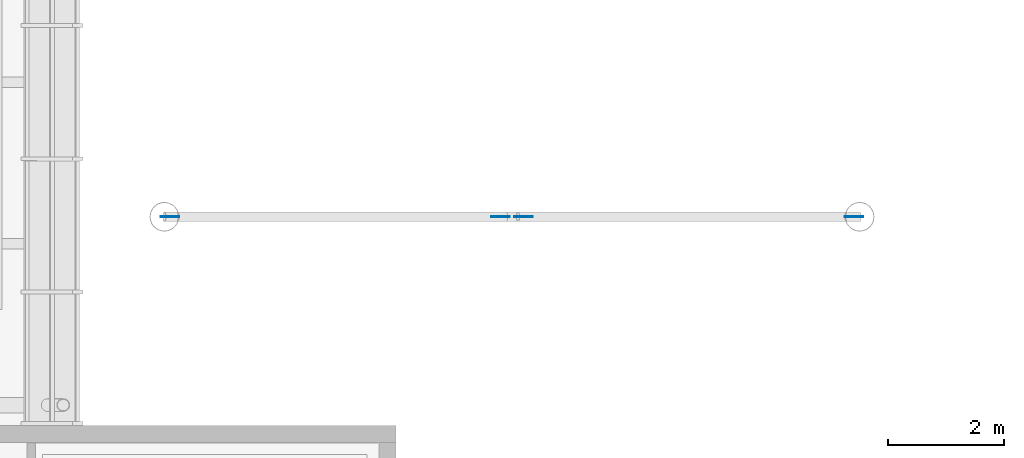
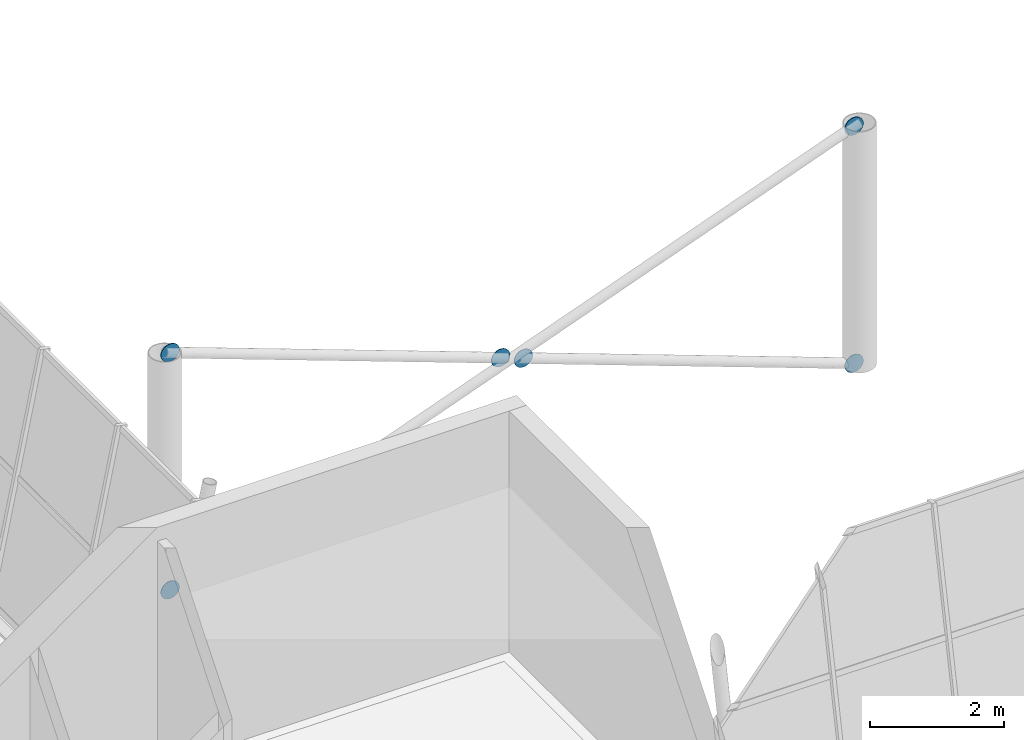
# One storey, part 40 of 58: 6 discrete accessories.
"""IFC4 building model written with IfcOpenShell, lengths in metres."""

from ifc_helpers import new_model, si_unit, direction, frame, origin, origin_2d, place, context, subcontext, project, spatial, circle, extrude, material, layer, layer_set, type_object, element, save


model = new_model("IFC4")

# Units and contexts
model_context = context("Model", 3, precision=1e-05, world=origin(), true_north=direction((0.0, 1.0)))
body_context = subcontext(model_context, "Body", "Model", "MODEL_VIEW")
ifc_project = project(units=[si_unit("LENGTHUNIT", "METRE"), si_unit("AREAUNIT", "SQUARE_METRE"), si_unit("VOLUMEUNIT", "CUBIC_METRE"), si_unit("PLANEANGLEUNIT", "RADIAN"), si_unit("MASSUNIT", "GRAM", prefix="KILO")], contexts=[model_context])

# Site, building, storey
site_placement = place(None, origin())
site = spatial("IfcSite", under=ifc_project, at=site_placement, CompositionType="ELEMENT")
building_placement = place(site_placement, origin())
building = spatial("IfcBuilding", under=site, at=building_placement, Name="Windward Yard Aquatics Centre", CompositionType="ELEMENT")
storey_placement = place(building_placement, frame((0.0, 0.0, 13.800048828125)))
storey = spatial("IfcBuildingStorey", under=building, at=storey_placement, Name="L03", CompositionType="ELEMENT", Elevation=13.800048828125)

# Discrete accessories
ifc_material = material(Name="Steel S355", Category="steel")
ifc_layer = layer(ifc_material, 0.011962890625)
ifc_layer_set = layer_set([ifc_layer], Name="Gusset plate 320 mm disc 12 mm")
discrete_accessory_type = type_object("IfcDiscreteAccessoryType", Name="Gusset plate 320 mm disc 12 mm", PredefinedType="USERDEFINED", material=ifc_layer_set)
for number, where, z_axis, x_axis, name in (
    (1, (60.093994140625, 41.593994140625, 0.034423828125), (0.0, 1.0, 0.0), (-1.0, 0.0, 0.0), "Gusset plate"),
    (2, (71.906005859375, 41.593994140625, 4.365478515625), (0.0, 1.0, 0.0), (-1.0, 0.0, 0.0), "Gusset plate"),
    (3, (60.093994140625, 41.593994140625, 4.365478515625), (0.0, 1.0, 0.0), (-1.0, 0.0, 0.0), "Gusset plate"),
    (4, (65.802734375, 41.593994140625, 2.272216796875), (0.0, 1.0, 0.0), (-1.0, 0.0, 0.0), "Gusset plate"),
    (5, (66.197265625, 41.593994140625, 2.127685546875), (0.0, 1.0, 0.0), (-1.0, 0.0, 0.0), "Gusset plate"),
    (6, (71.906005859375, 41.593994140625, 0.034423828125), (0.0, 1.0, 0.0), (-1.0, 0.0, 0.0), "Gusset plate"),
):
    element("IfcDiscreteAccessory", number, at=place(storey_placement, frame(where, z_axis=z_axis, x_axis=x_axis)), inside=storey, type_object=discrete_accessory_type, Name=name, ObjectType="GUSSET PLATE", PredefinedType="USERDEFINED", context=body_context, shape_type="SweptSolid", body=[
        extrude(circle(Radius=0.159912109375, at=origin_2d()), origin(), (0.0, 0.0, 1.0), 0.011962890625),
    ])

save(model, "model.ifc")
